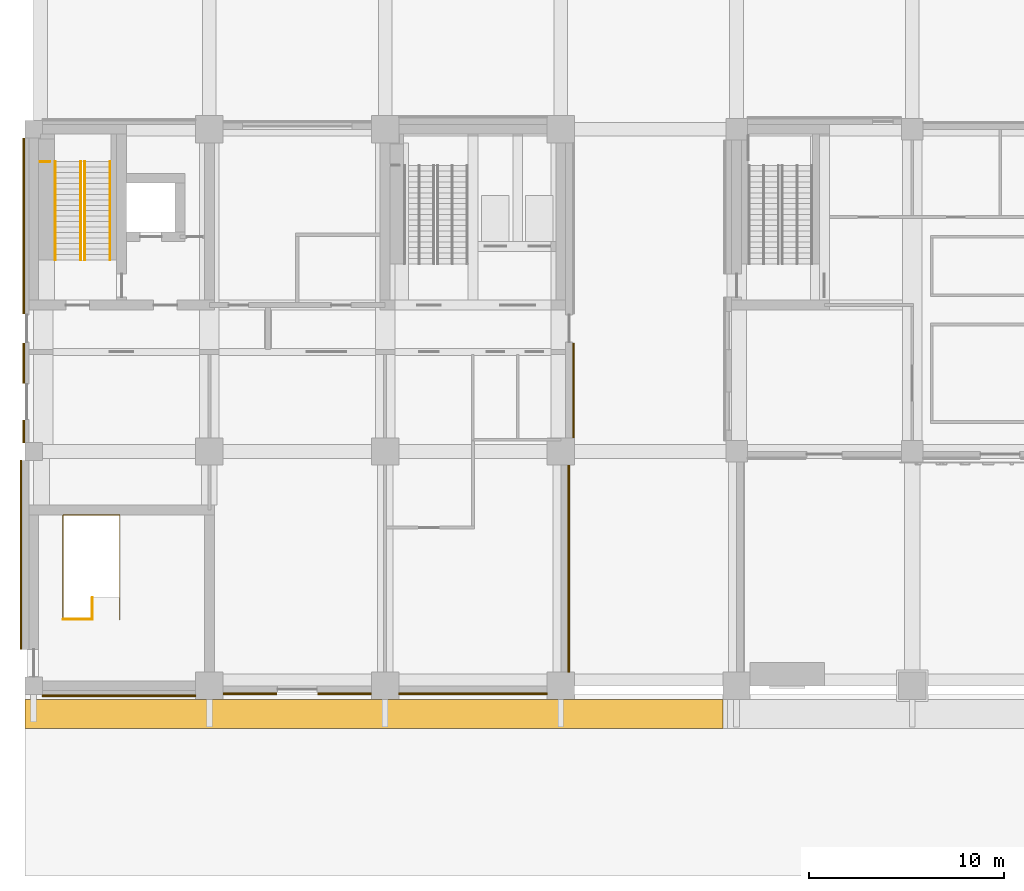
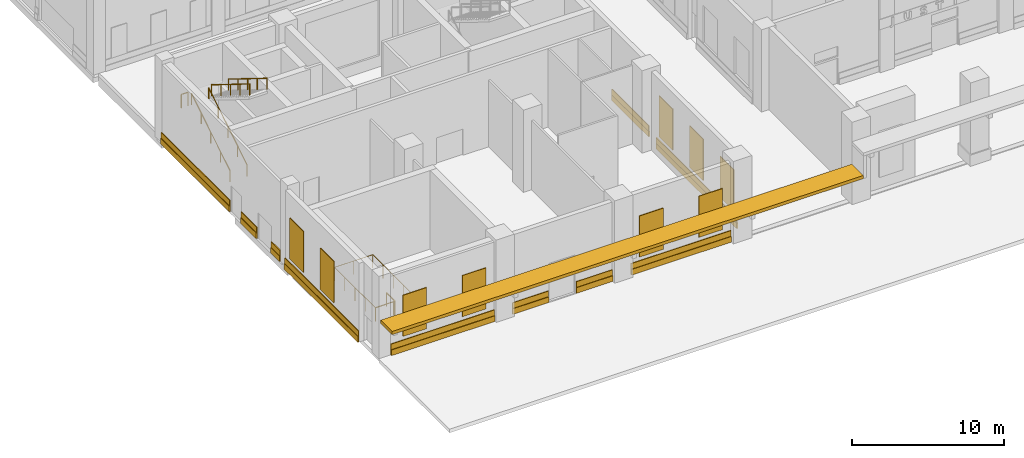
# One storey, part 22 of 35: 29 coverings, 8 railings, 1 shading device.
"""IFC4 building model written with IfcOpenShell, lengths in metres."""

from ifc_helpers import new_model, si_unit, direction, frame, origin, origin_2d, place, context, subcontext, project, spatial, polyline, rectangle, circle, outline, extrude, material, layer, layer_set, type_object, element, save


model = new_model("IFC4")

# Units and contexts
model_context = context("Model", 3, precision=1e-05, world=origin(), true_north=direction((0.0, 1.0)))
body_context = subcontext(model_context, "Body", "Model", "MODEL_VIEW")
ifc_project = project(units=[si_unit("LENGTHUNIT", "METRE"), si_unit("AREAUNIT", "SQUARE_METRE"), si_unit("VOLUMEUNIT", "CUBIC_METRE"), si_unit("PLANEANGLEUNIT", "RADIAN"), si_unit("MASSUNIT", "GRAM", prefix="KILO")], contexts=[model_context])

# Site, building, storey
site_placement = place(None, origin())
site = spatial("IfcSite", under=ifc_project, at=site_placement, CompositionType="ELEMENT")
building_placement = place(site_placement, origin())
building = spatial("IfcBuilding", under=site, at=building_placement, Name="Aurelan Courthouse", CompositionType="ELEMENT")
storey_placement = place(building_placement, origin())
storey = spatial("IfcBuildingStorey", under=building, at=storey_placement, Name="L00", CompositionType="ELEMENT", Elevation=0.0)

# Coverings
ifc_material_1 = material(Name="Bronze sheet cladding")
ifc_layer_1 = layer(ifc_material_1, 0.06005859375)
ifc_layer_set_1 = layer_set([ifc_layer_1], Name="Bronze sheet cladding")
covering_type_1 = type_object("IfcCoveringType", Name="Courts' Floors blind bay 1800 x 3300", PredefinedType="CLADDING", material=ifc_layer_set_1)
for number, where, z_axis, x_axis, name in (
    (1, (2.25, -0.47998046875, 1.2001953125), (0.0, 0.0, 1.0), (1.0, 0.0, 0.0), "Blind bay BB-V5-L00-001"),
    (2, (6.75, -0.47998046875, 1.2001953125), (0.0, 0.0, 1.0), (1.0, 0.0, 0.0), "Blind bay BB-V5-L00-002"),
    (3, (20.25, -0.3798828125, 1.2001953125), (0.0, 0.0, 1.0), (1.0, 0.0, 0.0), "Blind bay BB-V5-L00-003"),
    (4, (24.75, -0.3798828125, 1.2001953125), (0.0, 0.0, 1.0), (1.0, 0.0, 0.0), "Blind bay BB-V5-L00-004"),
):
    element("IfcCovering", number, at=place(storey_placement, frame(where, z_axis=z_axis, x_axis=x_axis)), inside=storey, type_object=covering_type_1, Name=name, PredefinedType="CLADDING", context=body_context, shape_type="SweptSolid", body=[
        extrude(rectangle(XDim=1.800048828125, YDim=0.06005859375, at=origin_2d()), origin(), (0.0, 0.0, 1.0), 3.300048828125),
    ])
for number, where, z_axis, x_axis, name in (
    (5, (27.3798828125, 2.0, 1.2001953125), (0.0, 0.0, 1.0), (1.0, 0.0, 0.0), "Blind bay BB-V5-L00-009"),
    (6, (27.3798828125, 6.0, 1.2001953125), (0.0, 0.0, 1.0), (1.0, 0.0, 0.0), "Blind bay BB-V5-L00-010"),
    (7, (27.3798828125, 10.0, 1.2001953125), (0.0, 0.0, 1.0), (1.0, 0.0, 0.0), "Blind bay BB-V5-L00-011"),
    (8, (-0.6298828125, 6.0, 1.2001953125), (0.0, 0.0, 1.0), (1.0, 0.0, 0.0), "Blind bay BB-V5-L00-012"),
    (9, (-0.6298828125, 10.0, 1.2001953125), (0.0, 0.0, 1.0), (1.0, 0.0, 0.0), "Blind bay BB-V5-L00-013"),
):
    element("IfcCovering", number, at=place(storey_placement, frame(where, z_axis=z_axis, x_axis=x_axis)), inside=storey, type_object=covering_type_1, Name=name, PredefinedType="CLADDING", context=body_context, shape_type="SweptSolid", body=[
        extrude(rectangle(XDim=0.06005859375, YDim=1.800048828125, at=origin_2d()), origin(), (0.0, 0.0, 1.0), 3.300048828125),
    ])
ifc_material_2 = material(Name="Granite cladding", Category="masonry")
covering_type_2 = type_object("IfcCoveringType", Name="Courts' Floors rusticated plinth course 450 x 100", PredefinedType="CLADDING", material=ifc_material_2)
covering_1_placement = place(storey_placement, frame((4.375, -0.5, 0.0), z_axis=(0.0, 0.0, 1.0), x_axis=(1.0, 0.0, 0.0)))
element("IfcCovering", 10, at=covering_1_placement, inside=storey, type_object=covering_type_2, Name="Plinth course PLC-V5-001", PredefinedType="CLADDING", context=body_context, shape_type="SweptSolid", body=[
    extrude(rectangle(XDim=7.85009765625, YDim=0.10009765625, at=origin_2d()), origin(), (0.0, 0.0, 1.0), 0.449951171875),
])
covering_2_placement = place(storey_placement, frame((4.375, -0.47998046875, 0.4501953125), z_axis=(0.0, 0.0, 1.0), x_axis=(1.0, 0.0, 0.0)))
element("IfcCovering", 11, at=covering_2_placement, inside=storey, type_object=covering_type_2, Name="Plinth course PLC-V5-002", PredefinedType="CLADDING", context=body_context, shape_type="SweptSolid", body=[
    extrude(rectangle(XDim=7.85009765625, YDim=0.06005859375, at=origin_2d()), origin(), (0.0, 0.0, 1.0), 0.449951171875),
])
for number, where, z_axis, x_axis, name in (
    (12, (11.074951171875, -0.39990234375, 0.0), (0.0, 0.0, 1.0), (1.0, 0.0, 0.0), "Plinth course PLC-V5-003"),
    (13, (15.925048828125, -0.39990234375, 0.0), (0.0, 0.0, 1.0), (1.0, 0.0, 0.0), "Plinth course PLC-V5-004"),
):
    element("IfcCovering", number, at=place(storey_placement, frame(where, z_axis=z_axis, x_axis=x_axis)), inside=storey, type_object=covering_type_2, Name=name, PredefinedType="CLADDING", context=body_context, shape_type="SweptSolid", body=[
        extrude(rectangle(XDim=2.75, YDim=0.10009765625, at=origin_2d()), origin(), (0.0, 0.0, 1.0), 0.449951171875),
    ])
for number, where, z_axis, x_axis, name in (
    (14, (11.074951171875, -0.3798828125, 0.4501953125), (0.0, 0.0, 1.0), (1.0, 0.0, 0.0), "Plinth course PLC-V5-005"),
    (15, (15.925048828125, -0.3798828125, 0.4501953125), (0.0, 0.0, 1.0), (1.0, 0.0, 0.0), "Plinth course PLC-V5-006"),
):
    element("IfcCovering", number, at=place(storey_placement, frame(where, z_axis=z_axis, x_axis=x_axis)), inside=storey, type_object=covering_type_2, Name=name, PredefinedType="CLADDING", context=body_context, shape_type="SweptSolid", body=[
        extrude(rectangle(XDim=2.75, YDim=0.06005859375, at=origin_2d()), origin(), (0.0, 0.0, 1.0), 0.449951171875),
    ])
covering_3_placement = place(storey_placement, frame((22.5, -0.39990234375, 0.0), z_axis=(0.0, 0.0, 1.0), x_axis=(1.0, 0.0, 0.0)))
element("IfcCovering", 16, at=covering_3_placement, inside=storey, type_object=covering_type_2, Name="Plinth course PLC-V5-007", PredefinedType="CLADDING", context=body_context, shape_type="SweptSolid", body=[
    extrude(rectangle(XDim=7.60009765625, YDim=0.10009765625, at=origin_2d()), origin(), (0.0, 0.0, 1.0), 0.449951171875),
])
covering_4_placement = place(storey_placement, frame((22.5, -0.3798828125, 0.4501953125), z_axis=(0.0, 0.0, 1.0), x_axis=(1.0, 0.0, 0.0)))
element("IfcCovering", 17, at=covering_4_placement, inside=storey, type_object=covering_type_2, Name="Plinth course PLC-V5-008", PredefinedType="CLADDING", context=body_context, shape_type="SweptSolid", body=[
    extrude(rectangle(XDim=7.60009765625, YDim=0.06005859375, at=origin_2d()), origin(), (0.0, 0.0, 1.0), 0.449951171875),
])
covering_5_placement = place(storey_placement, frame((27.39990234375, 6.0, 0.0), z_axis=(0.0, 0.0, 1.0), x_axis=(1.0, 0.0, 0.0)))
element("IfcCovering", 18, at=covering_5_placement, inside=storey, type_object=covering_type_2, Name="Plinth course PLC-V5-009", PredefinedType="CLADDING", context=body_context, shape_type="SweptSolid", body=[
    extrude(rectangle(XDim=0.10009765625, YDim=10.60009765625, at=origin_2d()), origin(), (0.0, 0.0, 1.0), 0.449951171875),
])
covering_6_placement = place(storey_placement, frame((27.3798828125, 6.0, 0.4501953125), z_axis=(0.0, 0.0, 1.0), x_axis=(1.0, 0.0, 0.0)))
element("IfcCovering", 19, at=covering_6_placement, inside=storey, type_object=covering_type_2, Name="Plinth course PLC-V5-010", PredefinedType="CLADDING", context=body_context, shape_type="SweptSolid", body=[
    extrude(rectangle(XDim=0.06005859375, YDim=10.60009765625, at=origin_2d()), origin(), (0.0, 0.0, 1.0), 0.449951171875),
])
covering_7_placement = place(storey_placement, frame((-0.64990234375, 6.7099609375, 0.0), z_axis=(0.0, 0.0, 1.0), x_axis=(1.0, 0.0, 0.0)))
element("IfcCovering", 20, at=covering_7_placement, inside=storey, type_object=covering_type_2, Name="Plinth course PLC-V5-011", PredefinedType="CLADDING", context=body_context, shape_type="SweptSolid", body=[
    extrude(rectangle(XDim=0.10009765625, YDim=9.679931640625, at=origin_2d()), origin(), (0.0, 0.0, 1.0), 0.449951171875),
])
covering_8_placement = place(storey_placement, frame((-0.6298828125, 6.7099609375, 0.4501953125), z_axis=(0.0, 0.0, 1.0), x_axis=(1.0, 0.0, 0.0)))
element("IfcCovering", 21, at=covering_8_placement, inside=storey, type_object=covering_type_2, Name="Plinth course PLC-V5-012", PredefinedType="CLADDING", context=body_context, shape_type="SweptSolid", body=[
    extrude(rectangle(XDim=0.06005859375, YDim=9.679931640625, at=origin_2d()), origin(), (0.0, 0.0, 1.0), 0.449951171875),
])
covering_9_placement = place(storey_placement, frame((-0.5, 13.02490234375, 0.0), z_axis=(0.0, 0.0, 1.0), x_axis=(1.0, 0.0, 0.0)))
element("IfcCovering", 22, at=covering_9_placement, inside=storey, type_object=covering_type_2, Name="Plinth course PLC-V5-013", PredefinedType="CLADDING", context=body_context, shape_type="SweptSolid", body=[
    extrude(rectangle(XDim=0.10009765625, YDim=1.14990234375, at=origin_2d()), origin(), (0.0, 0.0, 1.0), 0.449951171875),
])
covering_10_placement = place(storey_placement, frame((-0.5, 16.52490234375, 0.0), z_axis=(0.0, 0.0, 1.0), x_axis=(1.0, 0.0, 0.0)))
element("IfcCovering", 23, at=covering_10_placement, inside=storey, type_object=covering_type_2, Name="Plinth course PLC-V5-014", PredefinedType="CLADDING", context=body_context, shape_type="SweptSolid", body=[
    extrude(rectangle(XDim=0.10009765625, YDim=2.050048828125, at=origin_2d()), origin(), (0.0, 0.0, 1.0), 0.449951171875),
])
covering_11_placement = place(storey_placement, frame((-0.5, 23.550048828125, 0.0), z_axis=(0.0, 0.0, 1.0), x_axis=(1.0, 0.0, 0.0)))
element("IfcCovering", 24, at=covering_11_placement, inside=storey, type_object=covering_type_2, Name="Plinth course PLC-V5-015", PredefinedType="CLADDING", context=body_context, shape_type="SweptSolid", body=[
    extrude(rectangle(XDim=0.10009765625, YDim=9.0, at=origin_2d()), origin(), (0.0, 0.0, 1.0), 0.449951171875),
])
covering_12_placement = place(storey_placement, frame((-0.47998046875, 13.02490234375, 0.4501953125), z_axis=(0.0, 0.0, 1.0), x_axis=(1.0, 0.0, 0.0)))
element("IfcCovering", 25, at=covering_12_placement, inside=storey, type_object=covering_type_2, Name="Plinth course PLC-V5-016", PredefinedType="CLADDING", context=body_context, shape_type="SweptSolid", body=[
    extrude(rectangle(XDim=0.06005859375, YDim=1.14990234375, at=origin_2d()), origin(), (0.0, 0.0, 1.0), 0.449951171875),
])
covering_13_placement = place(storey_placement, frame((-0.47998046875, 16.52490234375, 0.4501953125), z_axis=(0.0, 0.0, 1.0), x_axis=(1.0, 0.0, 0.0)))
element("IfcCovering", 26, at=covering_13_placement, inside=storey, type_object=covering_type_2, Name="Plinth course PLC-V5-017", PredefinedType="CLADDING", context=body_context, shape_type="SweptSolid", body=[
    extrude(rectangle(XDim=0.06005859375, YDim=2.050048828125, at=origin_2d()), origin(), (0.0, 0.0, 1.0), 0.449951171875),
])
covering_14_placement = place(storey_placement, frame((-0.47998046875, 23.550048828125, 0.4501953125), z_axis=(0.0, 0.0, 1.0), x_axis=(1.0, 0.0, 0.0)))
element("IfcCovering", 27, at=covering_14_placement, inside=storey, type_object=covering_type_2, Name="Plinth course PLC-V5-018", PredefinedType="CLADDING", context=body_context, shape_type="SweptSolid", body=[
    extrude(rectangle(XDim=0.06005859375, YDim=9.0, at=origin_2d()), origin(), (0.0, 0.0, 1.0), 0.449951171875),
])
covering_15_placement = place(storey_placement, frame((27.64990234375, 15.125, 0.0), z_axis=(0.0, 0.0, 1.0), x_axis=(1.0, 0.0, 0.0)))
element("IfcCovering", 28, at=covering_15_placement, inside=storey, type_object=covering_type_2, Name="Plinth course PLC-V5-019", PredefinedType="CLADDING", context=body_context, shape_type="SweptSolid", body=[
    extrude(rectangle(XDim=0.10009765625, YDim=4.85009765625, at=origin_2d()), origin(), (0.0, 0.0, 1.0), 0.449951171875),
])
covering_16_placement = place(storey_placement, frame((27.6298828125, 15.125, 0.4501953125), z_axis=(0.0, 0.0, 1.0), x_axis=(1.0, 0.0, 0.0)))
element("IfcCovering", 29, at=covering_16_placement, inside=storey, type_object=covering_type_2, Name="Plinth course PLC-V5-021", PredefinedType="CLADDING", context=body_context, shape_type="SweptSolid", body=[
    extrude(rectangle(XDim=0.06005859375, YDim=4.85009765625, at=origin_2d()), origin(), (0.0, 0.0, 1.0), 0.449951171875),
])

# Railings
ifc_material_3 = material(Name="Steel S355", Category="steel")
railing_type_1 = type_object("IfcRailingType", Name="Stair guard 1100", PredefinedType="GUARDRAIL", material=ifc_material_3)
railing_1_placement = place(storey_placement, frame((2.909912109375, 3.39990234375, 0.0)))
element("IfcRailing", 30, at=railing_1_placement, inside=storey, type_object=railing_type_1, Name="Guard BS-1-L00-G1", PredefinedType="GUARDRAIL", context=body_context, shape_type="SweptSolid", body=[
    extrude(circle(Radius=0.02392578125, at=origin_2d()), frame((0.0, 0.0, 1.076171875), z_axis=(-1.0, 0.0, 0.0), x_axis=(0.0, -1.0, 0.0)), (0.0, 0.0, 1.0), 1.39990234375),
    extrude(circle(Radius=0.02099609375, at=origin_2d()), origin(), (0.0, 0.0, 1.0), 1.052001953125),
    extrude(circle(Radius=0.02099609375, at=origin_2d()), frame((-1.39990234375, 0.0, 0.0)), (0.0, 0.0, 1.0), 1.052001953125),
])
railing_2_placement = place(storey_placement, frame((1.510009765625, 3.39990234375, 0.0)))
element("IfcRailing", 31, at=railing_2_placement, inside=storey, type_object=railing_type_1, Name="Guard BS-1-L00-G2", PredefinedType="GUARDRAIL", context=body_context, shape_type="SweptSolid", body=[
    extrude(circle(Radius=0.02392578125, at=origin_2d()), frame((0.0, 0.0, 1.076171875), z_axis=(0.0, 1.0, 0.0), x_axis=(-1.0, 0.0, 0.0)), (0.0, 0.0, 1.0), 5.35009765625),
    extrude(circle(Radius=0.02392578125, at=origin_2d()), frame((0.0, 5.35009765625, 1.076171875), z_axis=(1.0, 0.0, 0.0), x_axis=(0.0, 1.0, 0.0)), (0.0, 0.0, 1.0), 2.89990234375),
    extrude(circle(Radius=0.02392578125, at=origin_2d()), frame((2.89990234375, 5.35009765625, 1.076171875), z_axis=(0.0, -1.0, 0.0), x_axis=(1.0, 0.0, 0.0)), (0.0, 0.0, 1.0), 5.35009765625),
    extrude(circle(Radius=0.02099609375, at=origin_2d()), origin(), (0.0, 0.0, 1.0), 1.052001953125),
    extrude(circle(Radius=0.02099609375, at=origin_2d()), frame((0.0, 1.33740234375, 0.0)), (0.0, 0.0, 1.0), 1.052001953125),
    extrude(circle(Radius=0.02099609375, at=origin_2d()), frame((0.0, 2.675048828125, 0.0)), (0.0, 0.0, 1.0), 1.052001953125),
    extrude(circle(Radius=0.02099609375, at=origin_2d()), frame((0.0, 4.0126953125, 0.0)), (0.0, 0.0, 1.0), 1.052001953125),
    extrude(circle(Radius=0.02099609375, at=origin_2d()), frame((0.0, 5.35009765625, 0.0)), (0.0, 0.0, 1.0), 1.052001953125),
    extrude(circle(Radius=0.02099609375, at=origin_2d()), frame((1.449951171875, 5.35009765625, 0.0)), (0.0, 0.0, 1.0), 1.052001953125),
    extrude(circle(Radius=0.02099609375, at=origin_2d()), frame((2.89990234375, 5.35009765625, 0.0)), (0.0, 0.0, 1.0), 1.052001953125),
    extrude(circle(Radius=0.02099609375, at=origin_2d()), frame((2.89990234375, 4.0126953125, 0.0)), (0.0, 0.0, 1.0), 1.052001953125),
    extrude(circle(Radius=0.02099609375, at=origin_2d()), frame((2.89990234375, 2.675048828125, 0.0)), (0.0, 0.0, 1.0), 1.052001953125),
    extrude(circle(Radius=0.02099609375, at=origin_2d()), frame((2.89990234375, 1.33740234375, 0.0)), (0.0, 0.0, 1.0), 1.052001953125),
    extrude(circle(Radius=0.02099609375, at=origin_2d()), frame((2.89990234375, 0.0, 0.0)), (0.0, 0.0, 1.0), 1.052001953125),
])
railing_3_placement = place(storey_placement, frame((3.010009765625, 3.39990234375, 0.0)))
element("IfcRailing", 32, at=railing_3_placement, inside=storey, type_object=railing_type_1, Name="Guard BS-1-L00-G3", PredefinedType="GUARDRAIL", context=body_context, shape_type="SweptSolid", body=[
    extrude(circle(Radius=0.02392578125, at=origin_2d()), frame((0.0, 0.0, 1.076171875), z_axis=(0.0, 1.0, 0.0), x_axis=(-1.0, 0.0, 0.0)), (0.0, 0.0, 1.0), 1.1201171875),
    extrude(circle(Radius=0.02099609375, at=origin_2d()), origin(), (0.0, 0.0, 1.0), 1.052001953125),
    extrude(circle(Radius=0.02099609375, at=origin_2d()), frame((0.0, 1.1201171875, 0.0)), (0.0, 0.0, 1.0), 1.052001953125),
])
railing_4_placement = place(storey_placement, frame((0.830078125, 26.85009765625, 3.300048828125)))
element("IfcRailing", 33, at=railing_4_placement, inside=storey, type_object=railing_type_1, Name="Guard ST-5B-L00-GL1", PredefinedType="GUARDRAIL", context=body_context, shape_type="SweptSolid", body=[
    extrude(circle(Radius=0.02392578125, at=origin_2d()), frame((0.0, 0.0, 1.076171875), z_axis=(-1.0, 0.0, 0.0), x_axis=(0.0, -1.0, 0.0)), (0.0, 0.0, 1.0), 0.5),
    extrude(circle(Radius=0.02099609375, at=origin_2d()), origin(), (0.0, 0.0, 1.0), 1.052001953125),
    extrude(circle(Radius=0.02099609375, at=origin_2d()), frame((-0.5, 0.0, 0.0)), (0.0, 0.0, 1.0), 1.052001953125),
])
railing_type_2 = type_object("IfcRailingType", Name="Stair handrail 900", PredefinedType="HANDRAIL", material=ifc_material_3)
for number, where, name in (
    (34, (1.110107421875, 21.81005859375, 0.173583984375), "Handrail ST-5B-L00-H1"),
    (35, (2.409912109375, 21.81005859375, 0.173583984375), "Handrail ST-5B-L00-H2"),
):
    element("IfcRailing", number, at=place(storey_placement, frame(where)), inside=storey, type_object=railing_type_2, Name=name, PredefinedType="HANDRAIL", context=body_context, shape_type="SweptSolid", body=[
        extrude(circle(Radius=0.02392578125, at=origin_2d()), frame((0.0, 0.0, 0.8759765625), z_axis=(0.0, 0.849778785312, 0.527139465448), x_axis=(-1.0, 0.0, 0.0)), (0.0, 0.0, 1.0), 5.930908203125),
        extrude(circle(Radius=0.02099609375, at=origin_2d()), origin(), (0.0, 0.0, 1.0), 0.851806640625),
        extrude(circle(Radius=0.02099609375, at=origin_2d()), frame((0.0, 1.260009765625, 0.78173828125)), (0.0, 0.0, 1.0), 0.851806640625),
        extrude(circle(Radius=0.02099609375, at=origin_2d()), frame((0.0, 2.52001953125, 1.563232421875)), (0.0, 0.0, 1.0), 0.851806640625),
        extrude(circle(Radius=0.02099609375, at=origin_2d()), frame((0.0, 3.780029296875, 2.3447265625)), (0.0, 0.0, 1.0), 0.851806640625),
        extrude(circle(Radius=0.02099609375, at=origin_2d()), frame((0.0, 5.0400390625, 3.12646484375)), (0.0, 0.0, 1.0), 0.851806640625),
    ])
for number, where, name in (
    (36, (2.610107421875, 26.85009765625, 3.4736328125), "Handrail ST-5B-L00-H3"),
    (37, (3.909912109375, 26.85009765625, 3.4736328125), "Handrail ST-5B-L00-H4"),
):
    element("IfcRailing", number, at=place(storey_placement, frame(where)), inside=storey, type_object=railing_type_2, Name=name, PredefinedType="HANDRAIL", context=body_context, shape_type="SweptSolid", body=[
        extrude(circle(Radius=0.02392578125, at=origin_2d()), frame((0.0, 0.0, 0.8759765625), z_axis=(0.0, -0.849778785312, 0.527139465448), x_axis=(1.0, 0.0, 0.0)), (0.0, 0.0, 1.0), 5.930908203125),
        extrude(circle(Radius=0.02099609375, at=origin_2d()), origin(), (0.0, 0.0, 1.0), 0.851806640625),
        extrude(circle(Radius=0.02099609375, at=origin_2d()), frame((0.0, -1.260009765625, 0.78173828125)), (0.0, 0.0, 1.0), 0.851806640625),
        extrude(circle(Radius=0.02099609375, at=origin_2d()), frame((0.0, -2.52001953125, 1.563232421875)), (0.0, 0.0, 1.0), 0.851806640625),
        extrude(circle(Radius=0.02099609375, at=origin_2d()), frame((0.0, -3.780029296875, 2.3447265625)), (0.0, 0.0, 1.0), 0.851806640625),
        extrude(circle(Radius=0.02099609375, at=origin_2d()), frame((0.0, -5.0400390625, 3.12646484375)), (0.0, 0.0, 1.0), 0.851806640625),
    ])

# Shading device
ifc_material_4 = material(Name="Concrete C40", Category="concrete")
ifc_layer_2 = layer(ifc_material_4, 0.24609375, Name="Structure")
ifc_material_5 = material(Name="Bronze sheet cladding", Category="bronze")
ifc_layer_3 = layer(ifc_material_5, 0.00390625, Name="Cladding")
ifc_layer_set_2 = layer_set([ifc_layer_2, ifc_layer_3], Name="Concrete C40")
shading_device_type = type_object("IfcShadingDeviceType", Name="Street canopy 250", PredefinedType="AWNING", material=ifc_layer_set_2)
shading_device_placement = place(storey_placement, frame((0.0, 0.0, 3.0)))
element("IfcShadingDevice", 38, at=shading_device_placement, inside=storey, type_object=shading_device_type, Name="Street canopy AW-S01", PredefinedType="AWNING", context=body_context, shape_type="SweptSolid", body=[
    extrude(outline(polyline([(-0.449951171875, -0.699951171875), (35.300048828125, -0.699951171875), (35.300048828125, -2.199951171875), (-0.449951171875, -2.199951171875), (-0.449951171875, -0.699951171875)])), origin(), (0.0, 0.0, 1.0), 0.25),
])

save(model, "model.ifc")
